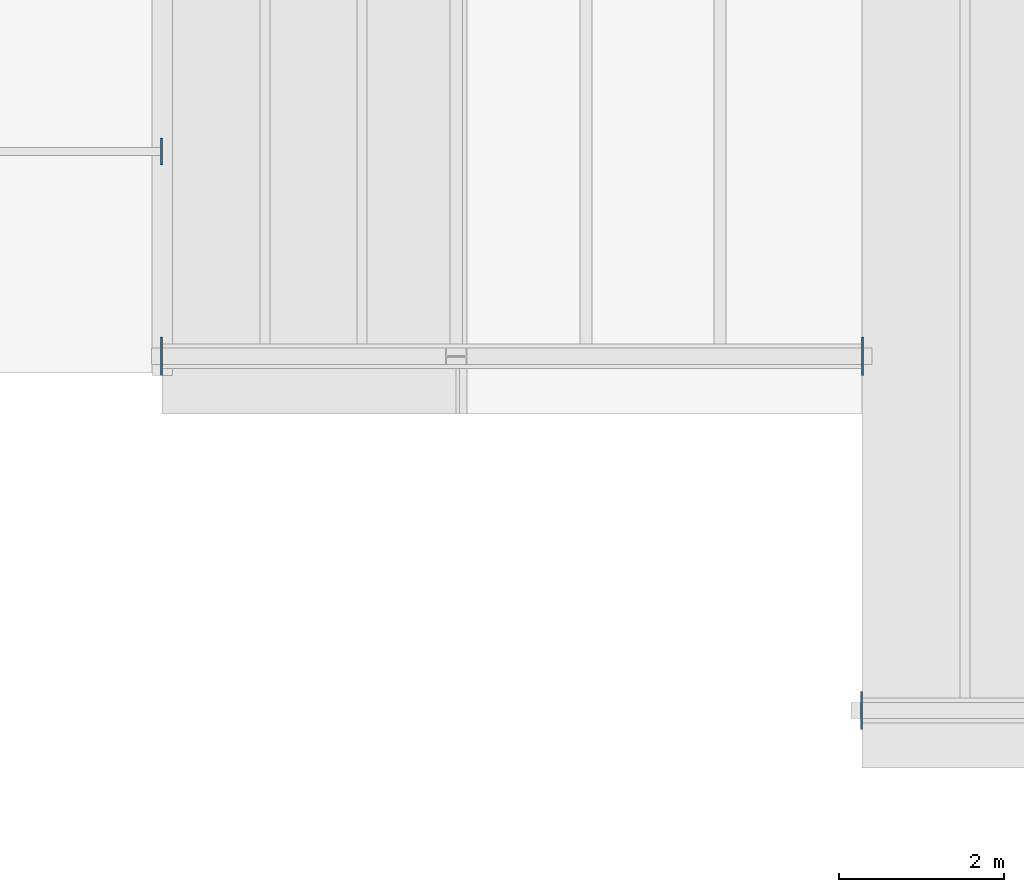
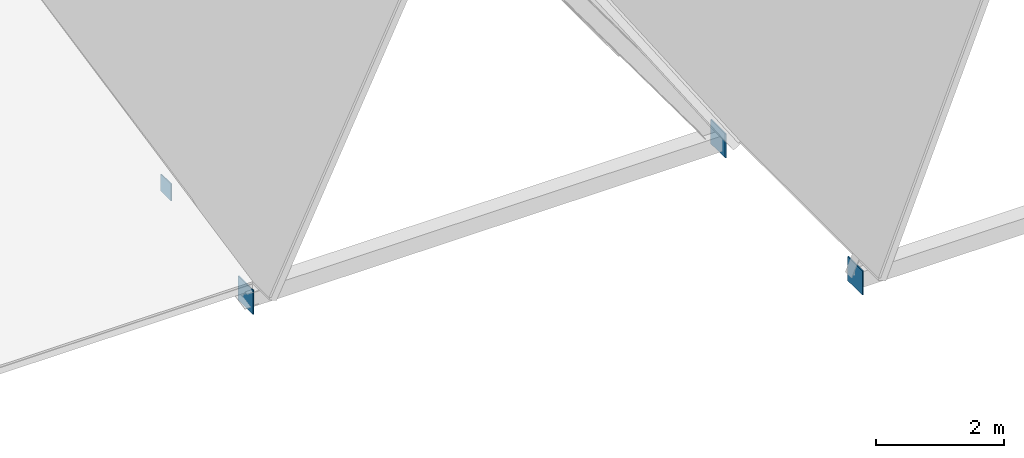
# One storey, part 62 of 77: 4 plates.
"""IFC4 building model written with IfcOpenShell, lengths in metres."""

from ifc_helpers import new_model, si_unit, direction, frame, origin, origin_2d, place, context, subcontext, project, spatial, rectangle, extrude, material, material_profile, profile_set, type_object, element, save


model = new_model("IFC4")

# Units and contexts
model_context = context("Model", 3, precision=1e-05, world=origin(), true_north=direction((0.0, 1.0)))
body_context = subcontext(model_context, "Body", "Model", "MODEL_VIEW")
ifc_project = project(units=[si_unit("LENGTHUNIT", "METRE"), si_unit("AREAUNIT", "SQUARE_METRE"), si_unit("VOLUMEUNIT", "CUBIC_METRE"), si_unit("PLANEANGLEUNIT", "RADIAN"), si_unit("MASSUNIT", "GRAM", prefix="KILO"), si_unit("THERMODYNAMICTEMPERATUREUNIT", "KELVIN"), si_unit("POWERUNIT", "WATT")], contexts=[model_context])

# Site, building, storey
site_placement = place(None, origin())
site = spatial("IfcSite", under=ifc_project, at=site_placement, CompositionType="ELEMENT")
building_placement = place(site_placement, origin())
building = spatial("IfcBuilding", under=site, at=building_placement, Name="Zhenchuan Central Fire Station", CompositionType="ELEMENT")
storey_placement = place(building_placement, frame((0.0, 0.0, 10.050048828125)))
storey = spatial("IfcBuildingStorey", under=building, at=storey_placement, Name="L03", CompositionType="ELEMENT", Elevation=10.050048828125)

# Plates
ifc_material = material(Name="Steel Q355B", Category="steel")
ifc_material_profile_1 = material_profile(ifc_material, rectangle(XDim=0.320068359375, YDim=0.320068359375, at=origin_2d()), Name="PL 320x320x20")
ifc_profile_set_1 = profile_set([ifc_material_profile_1], Name="Steel Q355B")
plate_type_1 = type_object("IfcPlateType", Name="PL-CAP20", PredefinedType="SHEET", material=ifc_profile_set_1)
plate_placement = place(storey_placement, frame((81.48095703125, 13.989013671875, 0.212158203125), z_axis=(1.0, 0.0, 0.0), x_axis=(0.0, 1.0, 0.0)))
element("IfcPlate", 1, at=plate_placement, inside=storey, type_object=plate_type_1, Name="Pavilion H03 Roof Purlin 1 end cap plate B", PredefinedType="SHEET", context=body_context, shape_type="SweptSolid", body=[
    extrude(rectangle(XDim=0.320068359375, YDim=0.320068359375, at=origin_2d()), origin(), (0.0, 0.0, 1.0), 0.02001953125),
])
ifc_material_profile_2 = material_profile(ifc_material, rectangle(XDim=0.4599609375, YDim=0.4599609375, at=origin_2d()), Name="PL 460x460x28")
ifc_profile_set_2 = profile_set([ifc_material_profile_2], Name="Steel Q355B")
plate_type_2 = type_object("IfcPlateType", Name="PL-GUS28-INT", PredefinedType="SHEET", material=ifc_profile_set_2)
for number, where, z_axis, x_axis, name in (
    (2, (81.48388671875, 11.5, -0.330078125), (1.0, 0.0, 0.0), (0.0, 1.0, 0.0), "Pavilion H04 Gable Bottom Chord 1 end cap plate A"),
    (3, (89.99609375, 11.5, -0.330078125), (1.0, 0.0, 0.0), (0.0, 1.0, 0.0), "Pavilion H04 Gable Bottom Chord 1 end cap plate B"),
    (4, (89.98388671875, 7.199951171875, -0.330078125), (1.0, 0.0, 0.0), (0.0, 1.0, 0.0), "Pavilion H05 Gable Bottom Chord 1 end cap plate A"),
):
    element("IfcPlate", number, at=place(storey_placement, frame(where, z_axis=z_axis, x_axis=x_axis)), inside=storey, type_object=plate_type_2, Name=name, PredefinedType="SHEET", context=body_context, shape_type="SweptSolid", body=[
        extrude(rectangle(XDim=0.4599609375, YDim=0.4599609375, at=origin_2d()), origin(), (0.0, 0.0, 1.0), 0.02001953125),
    ])

save(model, "model.ifc")
